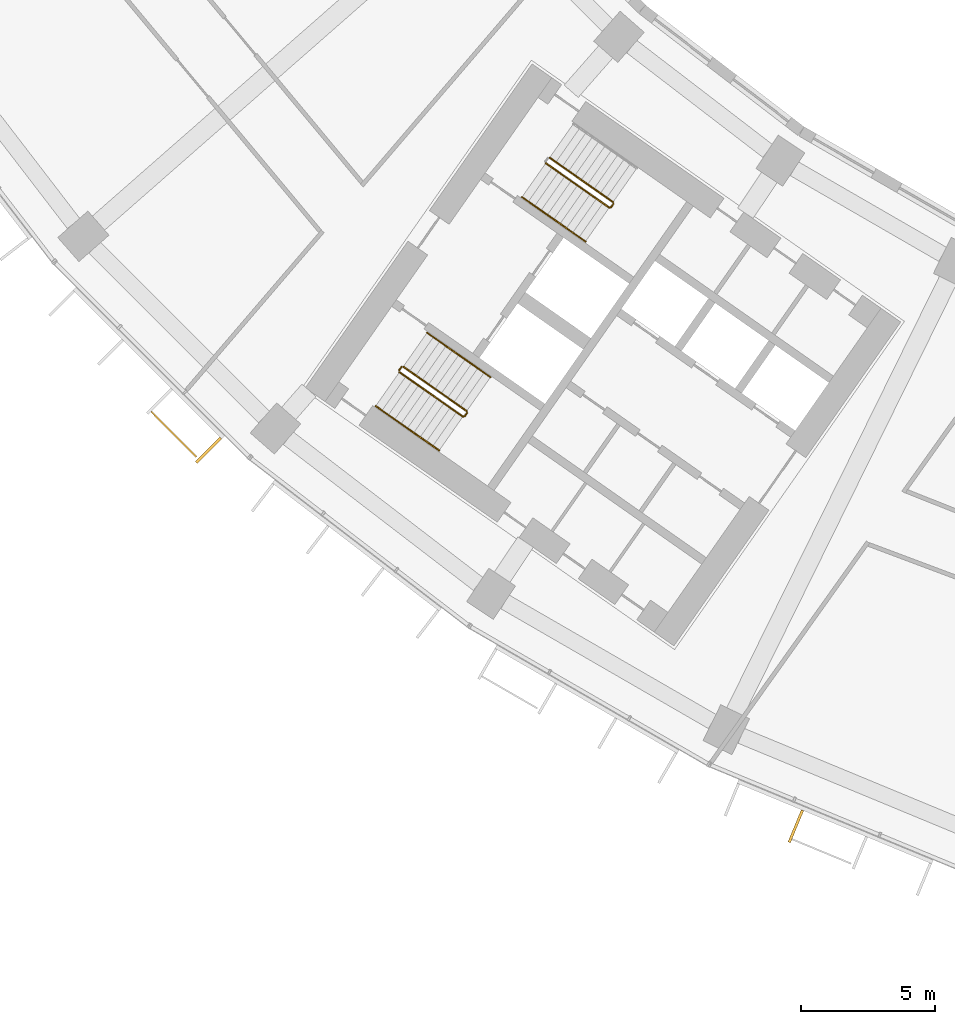
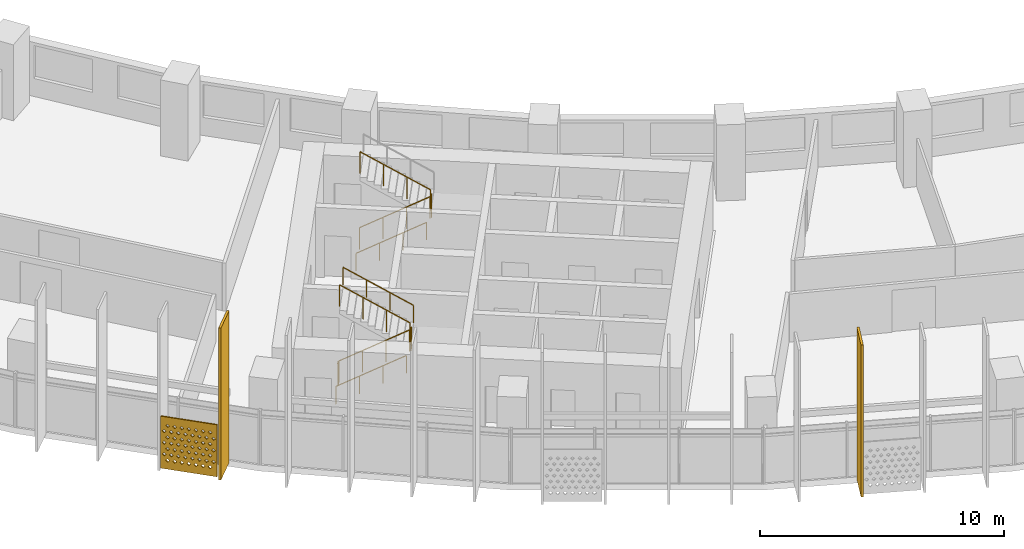
# One storey, part 24 of 30: 8 railings, 3 shading devices.
"""IFC4 building model written with IfcOpenShell, lengths in metres."""

from ifc_helpers import new_model, si_unit, direction, frame, origin, origin_2d, place, context, subcontext, project, spatial, polyline, rectangle, circle, outline, extrude, material, material_profile, profile_set, type_object, element, save


model = new_model("IFC4")

# Units and contexts
model_context = context("Model", 3, precision=1e-05, world=origin(), true_north=direction((0.0, 1.0)))
body_context = subcontext(model_context, "Body", "Model", "MODEL_VIEW")
ifc_project = project(units=[si_unit("LENGTHUNIT", "METRE"), si_unit("AREAUNIT", "SQUARE_METRE"), si_unit("VOLUMEUNIT", "CUBIC_METRE"), si_unit("PLANEANGLEUNIT", "RADIAN"), si_unit("MASSUNIT", "GRAM", prefix="KILO")], contexts=[model_context])

# Site, building, storey
site_placement = place(None, origin())
site = spatial("IfcSite", under=ifc_project, at=site_placement, CompositionType="ELEMENT")
building_placement = place(site_placement, origin())
building = spatial("IfcBuilding", under=site, at=building_placement, Name="Qamariyya Broadcast Tower", CompositionType="ELEMENT")
storey_placement = place(building_placement, frame((0.0, 0.0, 110.10009765625)))
storey = spatial("IfcBuildingStorey", under=building, at=storey_placement, Name="L24", CompositionType="ELEMENT", Elevation=110.10009765625)

# Shading device
ifc_material_1 = material(Name="Perforated glazed terracotta", Category="masonry")
ifc_material_profile_1 = material_profile(ifc_material_1, outline(polyline([(-1.199951171875, -1.300048828125), (1.199951171875, -1.300048828125), (1.199951171875, 1.300048828125), (-1.199951171875, 1.300048828125), (-1.199951171875, -1.300048828125)]), holes=[polyline([(-0.81494140625, -0.86669921875), (-0.89990234375, -0.78173828125), (-0.985107421875, -0.86669921875), (-0.89990234375, -0.95166015625), (-0.81494140625, -0.86669921875)]), polyline([(-0.514892578125, -0.86669921875), (-0.60009765625, -0.78173828125), (-0.68505859375, -0.86669921875), (-0.60009765625, -0.95166015625), (-0.514892578125, -0.86669921875)]), polyline([(-0.215087890625, -0.86669921875), (-0.300048828125, -0.78173828125), (-0.385009765625, -0.86669921875), (-0.300048828125, -0.95166015625), (-0.215087890625, -0.86669921875)]), polyline([(0.0849609375, -0.86669921875), (0.0, -0.78173828125), (-0.0849609375, -0.86669921875), (0.0, -0.95166015625), (0.0849609375, -0.86669921875)]), polyline([(0.385009765625, -0.86669921875), (0.300048828125, -0.78173828125), (0.215087890625, -0.86669921875), (0.300048828125, -0.95166015625), (0.385009765625, -0.86669921875)]), polyline([(0.68505859375, -0.86669921875), (0.60009765625, -0.78173828125), (0.514892578125, -0.86669921875), (0.60009765625, -0.95166015625), (0.68505859375, -0.86669921875)]), polyline([(0.985107421875, -0.86669921875), (0.89990234375, -0.78173828125), (0.81494140625, -0.86669921875), (0.89990234375, -0.95166015625), (0.985107421875, -0.86669921875)]), polyline([(-0.965087890625, -0.577880859375), (-1.050048828125, -0.49267578125), (-1.135009765625, -0.577880859375), (-1.050048828125, -0.662841796875), (-0.965087890625, -0.577880859375)]), polyline([(-0.6650390625, -0.577880859375), (-0.75, -0.49267578125), (-0.8349609375, -0.577880859375), (-0.75, -0.662841796875), (-0.6650390625, -0.577880859375)]), polyline([(-0.364990234375, -0.577880859375), (-0.449951171875, -0.49267578125), (-0.534912109375, -0.577880859375), (-0.449951171875, -0.662841796875), (-0.364990234375, -0.577880859375)]), polyline([(-0.06494140625, -0.577880859375), (-0.14990234375, -0.49267578125), (-0.235107421875, -0.577880859375), (-0.14990234375, -0.662841796875), (-0.06494140625, -0.577880859375)]), polyline([(0.235107421875, -0.577880859375), (0.14990234375, -0.49267578125), (0.06494140625, -0.577880859375), (0.14990234375, -0.662841796875), (0.235107421875, -0.577880859375)]), polyline([(0.534912109375, -0.577880859375), (0.449951171875, -0.49267578125), (0.364990234375, -0.577880859375), (0.449951171875, -0.662841796875), (0.534912109375, -0.577880859375)]), polyline([(0.8349609375, -0.577880859375), (0.75, -0.49267578125), (0.6650390625, -0.577880859375), (0.75, -0.662841796875), (0.8349609375, -0.577880859375)]), polyline([(1.135009765625, -0.577880859375), (1.050048828125, -0.49267578125), (0.965087890625, -0.577880859375), (1.050048828125, -0.662841796875), (1.135009765625, -0.577880859375)]), polyline([(-0.81494140625, -0.288818359375), (-0.89990234375, -0.203857421875), (-0.985107421875, -0.288818359375), (-0.89990234375, -0.373779296875), (-0.81494140625, -0.288818359375)]), polyline([(-0.514892578125, -0.288818359375), (-0.60009765625, -0.203857421875), (-0.68505859375, -0.288818359375), (-0.60009765625, -0.373779296875), (-0.514892578125, -0.288818359375)]), polyline([(-0.215087890625, -0.288818359375), (-0.300048828125, -0.203857421875), (-0.385009765625, -0.288818359375), (-0.300048828125, -0.373779296875), (-0.215087890625, -0.288818359375)]), polyline([(0.0849609375, -0.288818359375), (0.0, -0.203857421875), (-0.0849609375, -0.288818359375), (0.0, -0.373779296875), (0.0849609375, -0.288818359375)]), polyline([(0.385009765625, -0.288818359375), (0.300048828125, -0.203857421875), (0.215087890625, -0.288818359375), (0.300048828125, -0.373779296875), (0.385009765625, -0.288818359375)]), polyline([(0.68505859375, -0.288818359375), (0.60009765625, -0.203857421875), (0.514892578125, -0.288818359375), (0.60009765625, -0.373779296875), (0.68505859375, -0.288818359375)]), polyline([(0.985107421875, -0.288818359375), (0.89990234375, -0.203857421875), (0.81494140625, -0.288818359375), (0.89990234375, -0.373779296875), (0.985107421875, -0.288818359375)]), polyline([(-0.965087890625, 0.0), (-1.050048828125, 0.0849609375), (-1.135009765625, 0.0), (-1.050048828125, -0.0849609375), (-0.965087890625, 0.0)]), polyline([(-0.6650390625, 0.0), (-0.75, 0.0849609375), (-0.8349609375, 0.0), (-0.75, -0.0849609375), (-0.6650390625, 0.0)]), polyline([(-0.364990234375, 0.0), (-0.449951171875, 0.0849609375), (-0.534912109375, 0.0), (-0.449951171875, -0.0849609375), (-0.364990234375, 0.0)]), polyline([(-0.06494140625, 0.0), (-0.14990234375, 0.0849609375), (-0.235107421875, 0.0), (-0.14990234375, -0.0849609375), (-0.06494140625, 0.0)]), polyline([(0.235107421875, 0.0), (0.14990234375, 0.0849609375), (0.06494140625, 0.0), (0.14990234375, -0.0849609375), (0.235107421875, 0.0)]), polyline([(0.534912109375, 0.0), (0.449951171875, 0.0849609375), (0.364990234375, 0.0), (0.449951171875, -0.0849609375), (0.534912109375, 0.0)]), polyline([(0.8349609375, 0.0), (0.75, 0.0849609375), (0.6650390625, 0.0), (0.75, -0.0849609375), (0.8349609375, 0.0)]), polyline([(1.135009765625, 0.0), (1.050048828125, 0.0849609375), (0.965087890625, 0.0), (1.050048828125, -0.0849609375), (1.135009765625, 0.0)]), polyline([(-0.81494140625, 0.288818359375), (-0.89990234375, 0.373779296875), (-0.985107421875, 0.288818359375), (-0.89990234375, 0.203857421875), (-0.81494140625, 0.288818359375)]), polyline([(-0.514892578125, 0.288818359375), (-0.60009765625, 0.373779296875), (-0.68505859375, 0.288818359375), (-0.60009765625, 0.203857421875), (-0.514892578125, 0.288818359375)]), polyline([(-0.215087890625, 0.288818359375), (-0.300048828125, 0.373779296875), (-0.385009765625, 0.288818359375), (-0.300048828125, 0.203857421875), (-0.215087890625, 0.288818359375)]), polyline([(0.0849609375, 0.288818359375), (0.0, 0.373779296875), (-0.0849609375, 0.288818359375), (0.0, 0.203857421875), (0.0849609375, 0.288818359375)]), polyline([(0.385009765625, 0.288818359375), (0.300048828125, 0.373779296875), (0.215087890625, 0.288818359375), (0.300048828125, 0.203857421875), (0.385009765625, 0.288818359375)]), polyline([(0.68505859375, 0.288818359375), (0.60009765625, 0.373779296875), (0.514892578125, 0.288818359375), (0.60009765625, 0.203857421875), (0.68505859375, 0.288818359375)]), polyline([(0.985107421875, 0.288818359375), (0.89990234375, 0.373779296875), (0.81494140625, 0.288818359375), (0.89990234375, 0.203857421875), (0.985107421875, 0.288818359375)]), polyline([(-0.965087890625, 0.577880859375), (-1.050048828125, 0.662841796875), (-1.135009765625, 0.577880859375), (-1.050048828125, 0.49267578125), (-0.965087890625, 0.577880859375)]), polyline([(-0.6650390625, 0.577880859375), (-0.75, 0.662841796875), (-0.8349609375, 0.577880859375), (-0.75, 0.49267578125), (-0.6650390625, 0.577880859375)]), polyline([(-0.364990234375, 0.577880859375), (-0.449951171875, 0.662841796875), (-0.534912109375, 0.577880859375), (-0.449951171875, 0.49267578125), (-0.364990234375, 0.577880859375)]), polyline([(-0.06494140625, 0.577880859375), (-0.14990234375, 0.662841796875), (-0.235107421875, 0.577880859375), (-0.14990234375, 0.49267578125), (-0.06494140625, 0.577880859375)]), polyline([(0.235107421875, 0.577880859375), (0.14990234375, 0.662841796875), (0.06494140625, 0.577880859375), (0.14990234375, 0.49267578125), (0.235107421875, 0.577880859375)]), polyline([(0.534912109375, 0.577880859375), (0.449951171875, 0.662841796875), (0.364990234375, 0.577880859375), (0.449951171875, 0.49267578125), (0.534912109375, 0.577880859375)]), polyline([(0.8349609375, 0.577880859375), (0.75, 0.662841796875), (0.6650390625, 0.577880859375), (0.75, 0.49267578125), (0.8349609375, 0.577880859375)]), polyline([(1.135009765625, 0.577880859375), (1.050048828125, 0.662841796875), (0.965087890625, 0.577880859375), (1.050048828125, 0.49267578125), (1.135009765625, 0.577880859375)]), polyline([(-0.81494140625, 0.86669921875), (-0.89990234375, 0.95166015625), (-0.985107421875, 0.86669921875), (-0.89990234375, 0.78173828125), (-0.81494140625, 0.86669921875)]), polyline([(-0.514892578125, 0.86669921875), (-0.60009765625, 0.95166015625), (-0.68505859375, 0.86669921875), (-0.60009765625, 0.78173828125), (-0.514892578125, 0.86669921875)]), polyline([(-0.215087890625, 0.86669921875), (-0.300048828125, 0.95166015625), (-0.385009765625, 0.86669921875), (-0.300048828125, 0.78173828125), (-0.215087890625, 0.86669921875)]), polyline([(0.0849609375, 0.86669921875), (0.0, 0.95166015625), (-0.0849609375, 0.86669921875), (0.0, 0.78173828125), (0.0849609375, 0.86669921875)]), polyline([(0.385009765625, 0.86669921875), (0.300048828125, 0.95166015625), (0.215087890625, 0.86669921875), (0.300048828125, 0.78173828125), (0.385009765625, 0.86669921875)]), polyline([(0.68505859375, 0.86669921875), (0.60009765625, 0.95166015625), (0.514892578125, 0.86669921875), (0.60009765625, 0.78173828125), (0.68505859375, 0.86669921875)]), polyline([(0.985107421875, 0.86669921875), (0.89990234375, 0.95166015625), (0.81494140625, 0.86669921875), (0.89990234375, 0.78173828125), (0.985107421875, 0.86669921875)])]))
ifc_profile_set_1 = profile_set([ifc_material_profile_1], Name="Perforated glazed terracotta")
shading_device_type_1 = type_object("IfcShadingDeviceType", Name="Perforated terracotta screen 2400 x 2600", PredefinedType="USERDEFINED", material=ifc_profile_set_1)
shading_device_placement = place(storey_placement, frame((-55.05078125, -58.65234375, 1.349853515625), z_axis=(-0.709141608176, -0.705066081692, 0.0), x_axis=(0.705066081692, -0.709141608176, 0.0)))
element("IfcShadingDevice", 1, at=shading_device_placement, inside=storey, type_object=shading_device_type_1, Name="e-scr-L24-03-2", ObjectType="SCREEN", PredefinedType="USERDEFINED", context=body_context, shape_type="SweptSolid", body=[
    extrude(outline(polyline([(-1.199951171875, -1.300048828125), (1.199951171875, -1.300048828125), (1.199951171875, 1.300048828125), (-1.199951171875, 1.300048828125), (-1.199951171875, -1.300048828125)]), holes=[polyline([(-0.81494140625, -0.86669921875), (-0.89990234375, -0.78173828125), (-0.985107421875, -0.86669921875), (-0.89990234375, -0.95166015625), (-0.81494140625, -0.86669921875)]), polyline([(-0.514892578125, -0.86669921875), (-0.60009765625, -0.78173828125), (-0.68505859375, -0.86669921875), (-0.60009765625, -0.95166015625), (-0.514892578125, -0.86669921875)]), polyline([(-0.215087890625, -0.86669921875), (-0.300048828125, -0.78173828125), (-0.385009765625, -0.86669921875), (-0.300048828125, -0.95166015625), (-0.215087890625, -0.86669921875)]), polyline([(0.0849609375, -0.86669921875), (0.0, -0.78173828125), (-0.0849609375, -0.86669921875), (0.0, -0.95166015625), (0.0849609375, -0.86669921875)]), polyline([(0.385009765625, -0.86669921875), (0.300048828125, -0.78173828125), (0.215087890625, -0.86669921875), (0.300048828125, -0.95166015625), (0.385009765625, -0.86669921875)]), polyline([(0.68505859375, -0.86669921875), (0.60009765625, -0.78173828125), (0.514892578125, -0.86669921875), (0.60009765625, -0.95166015625), (0.68505859375, -0.86669921875)]), polyline([(0.985107421875, -0.86669921875), (0.89990234375, -0.78173828125), (0.81494140625, -0.86669921875), (0.89990234375, -0.95166015625), (0.985107421875, -0.86669921875)]), polyline([(-0.965087890625, -0.577880859375), (-1.050048828125, -0.49267578125), (-1.135009765625, -0.577880859375), (-1.050048828125, -0.662841796875), (-0.965087890625, -0.577880859375)]), polyline([(-0.6650390625, -0.577880859375), (-0.75, -0.49267578125), (-0.8349609375, -0.577880859375), (-0.75, -0.662841796875), (-0.6650390625, -0.577880859375)]), polyline([(-0.364990234375, -0.577880859375), (-0.449951171875, -0.49267578125), (-0.534912109375, -0.577880859375), (-0.449951171875, -0.662841796875), (-0.364990234375, -0.577880859375)]), polyline([(-0.06494140625, -0.577880859375), (-0.14990234375, -0.49267578125), (-0.235107421875, -0.577880859375), (-0.14990234375, -0.662841796875), (-0.06494140625, -0.577880859375)]), polyline([(0.235107421875, -0.577880859375), (0.14990234375, -0.49267578125), (0.06494140625, -0.577880859375), (0.14990234375, -0.662841796875), (0.235107421875, -0.577880859375)]), polyline([(0.534912109375, -0.577880859375), (0.449951171875, -0.49267578125), (0.364990234375, -0.577880859375), (0.449951171875, -0.662841796875), (0.534912109375, -0.577880859375)]), polyline([(0.8349609375, -0.577880859375), (0.75, -0.49267578125), (0.6650390625, -0.577880859375), (0.75, -0.662841796875), (0.8349609375, -0.577880859375)]), polyline([(1.135009765625, -0.577880859375), (1.050048828125, -0.49267578125), (0.965087890625, -0.577880859375), (1.050048828125, -0.662841796875), (1.135009765625, -0.577880859375)]), polyline([(-0.81494140625, -0.288818359375), (-0.89990234375, -0.203857421875), (-0.985107421875, -0.288818359375), (-0.89990234375, -0.373779296875), (-0.81494140625, -0.288818359375)]), polyline([(-0.514892578125, -0.288818359375), (-0.60009765625, -0.203857421875), (-0.68505859375, -0.288818359375), (-0.60009765625, -0.373779296875), (-0.514892578125, -0.288818359375)]), polyline([(-0.215087890625, -0.288818359375), (-0.300048828125, -0.203857421875), (-0.385009765625, -0.288818359375), (-0.300048828125, -0.373779296875), (-0.215087890625, -0.288818359375)]), polyline([(0.0849609375, -0.288818359375), (0.0, -0.203857421875), (-0.0849609375, -0.288818359375), (0.0, -0.373779296875), (0.0849609375, -0.288818359375)]), polyline([(0.385009765625, -0.288818359375), (0.300048828125, -0.203857421875), (0.215087890625, -0.288818359375), (0.300048828125, -0.373779296875), (0.385009765625, -0.288818359375)]), polyline([(0.68505859375, -0.288818359375), (0.60009765625, -0.203857421875), (0.514892578125, -0.288818359375), (0.60009765625, -0.373779296875), (0.68505859375, -0.288818359375)]), polyline([(0.985107421875, -0.288818359375), (0.89990234375, -0.203857421875), (0.81494140625, -0.288818359375), (0.89990234375, -0.373779296875), (0.985107421875, -0.288818359375)]), polyline([(-0.965087890625, 0.0), (-1.050048828125, 0.0849609375), (-1.135009765625, 0.0), (-1.050048828125, -0.0849609375), (-0.965087890625, 0.0)]), polyline([(-0.6650390625, 0.0), (-0.75, 0.0849609375), (-0.8349609375, 0.0), (-0.75, -0.0849609375), (-0.6650390625, 0.0)]), polyline([(-0.364990234375, 0.0), (-0.449951171875, 0.0849609375), (-0.534912109375, 0.0), (-0.449951171875, -0.0849609375), (-0.364990234375, 0.0)]), polyline([(-0.06494140625, 0.0), (-0.14990234375, 0.0849609375), (-0.235107421875, 0.0), (-0.14990234375, -0.0849609375), (-0.06494140625, 0.0)]), polyline([(0.235107421875, 0.0), (0.14990234375, 0.0849609375), (0.06494140625, 0.0), (0.14990234375, -0.0849609375), (0.235107421875, 0.0)]), polyline([(0.534912109375, 0.0), (0.449951171875, 0.0849609375), (0.364990234375, 0.0), (0.449951171875, -0.0849609375), (0.534912109375, 0.0)]), polyline([(0.8349609375, 0.0), (0.75, 0.0849609375), (0.6650390625, 0.0), (0.75, -0.0849609375), (0.8349609375, 0.0)]), polyline([(1.135009765625, 0.0), (1.050048828125, 0.0849609375), (0.965087890625, 0.0), (1.050048828125, -0.0849609375), (1.135009765625, 0.0)]), polyline([(-0.81494140625, 0.288818359375), (-0.89990234375, 0.373779296875), (-0.985107421875, 0.288818359375), (-0.89990234375, 0.203857421875), (-0.81494140625, 0.288818359375)]), polyline([(-0.514892578125, 0.288818359375), (-0.60009765625, 0.373779296875), (-0.68505859375, 0.288818359375), (-0.60009765625, 0.203857421875), (-0.514892578125, 0.288818359375)]), polyline([(-0.215087890625, 0.288818359375), (-0.300048828125, 0.373779296875), (-0.385009765625, 0.288818359375), (-0.300048828125, 0.203857421875), (-0.215087890625, 0.288818359375)]), polyline([(0.0849609375, 0.288818359375), (0.0, 0.373779296875), (-0.0849609375, 0.288818359375), (0.0, 0.203857421875), (0.0849609375, 0.288818359375)]), polyline([(0.385009765625, 0.288818359375), (0.300048828125, 0.373779296875), (0.215087890625, 0.288818359375), (0.300048828125, 0.203857421875), (0.385009765625, 0.288818359375)]), polyline([(0.68505859375, 0.288818359375), (0.60009765625, 0.373779296875), (0.514892578125, 0.288818359375), (0.60009765625, 0.203857421875), (0.68505859375, 0.288818359375)]), polyline([(0.985107421875, 0.288818359375), (0.89990234375, 0.373779296875), (0.81494140625, 0.288818359375), (0.89990234375, 0.203857421875), (0.985107421875, 0.288818359375)]), polyline([(-0.965087890625, 0.577880859375), (-1.050048828125, 0.662841796875), (-1.135009765625, 0.577880859375), (-1.050048828125, 0.49267578125), (-0.965087890625, 0.577880859375)]), polyline([(-0.6650390625, 0.577880859375), (-0.75, 0.662841796875), (-0.8349609375, 0.577880859375), (-0.75, 0.49267578125), (-0.6650390625, 0.577880859375)]), polyline([(-0.364990234375, 0.577880859375), (-0.449951171875, 0.662841796875), (-0.534912109375, 0.577880859375), (-0.449951171875, 0.49267578125), (-0.364990234375, 0.577880859375)]), polyline([(-0.06494140625, 0.577880859375), (-0.14990234375, 0.662841796875), (-0.235107421875, 0.577880859375), (-0.14990234375, 0.49267578125), (-0.06494140625, 0.577880859375)]), polyline([(0.235107421875, 0.577880859375), (0.14990234375, 0.662841796875), (0.06494140625, 0.577880859375), (0.14990234375, 0.49267578125), (0.235107421875, 0.577880859375)]), polyline([(0.534912109375, 0.577880859375), (0.449951171875, 0.662841796875), (0.364990234375, 0.577880859375), (0.449951171875, 0.49267578125), (0.534912109375, 0.577880859375)]), polyline([(0.8349609375, 0.577880859375), (0.75, 0.662841796875), (0.6650390625, 0.577880859375), (0.75, 0.49267578125), (0.8349609375, 0.577880859375)]), polyline([(1.135009765625, 0.577880859375), (1.050048828125, 0.662841796875), (0.965087890625, 0.577880859375), (1.050048828125, 0.49267578125), (1.135009765625, 0.577880859375)]), polyline([(-0.81494140625, 0.86669921875), (-0.89990234375, 0.95166015625), (-0.985107421875, 0.86669921875), (-0.89990234375, 0.78173828125), (-0.81494140625, 0.86669921875)]), polyline([(-0.514892578125, 0.86669921875), (-0.60009765625, 0.95166015625), (-0.68505859375, 0.86669921875), (-0.60009765625, 0.78173828125), (-0.514892578125, 0.86669921875)]), polyline([(-0.215087890625, 0.86669921875), (-0.300048828125, 0.95166015625), (-0.385009765625, 0.86669921875), (-0.300048828125, 0.78173828125), (-0.215087890625, 0.86669921875)]), polyline([(0.0849609375, 0.86669921875), (0.0, 0.95166015625), (-0.0849609375, 0.86669921875), (0.0, 0.78173828125), (0.0849609375, 0.86669921875)]), polyline([(0.385009765625, 0.86669921875), (0.300048828125, 0.95166015625), (0.215087890625, 0.86669921875), (0.300048828125, 0.78173828125), (0.385009765625, 0.86669921875)]), polyline([(0.68505859375, 0.86669921875), (0.60009765625, 0.95166015625), (0.514892578125, 0.86669921875), (0.60009765625, 0.78173828125), (0.68505859375, 0.86669921875)]), polyline([(0.985107421875, 0.86669921875), (0.89990234375, 0.95166015625), (0.81494140625, 0.86669921875), (0.89990234375, 0.78173828125), (0.985107421875, 0.86669921875)])]), origin(), (0.0, 0.0, 1.0), 0.059814453125),
])

# Railings
ifc_material_2 = material(Name="Painted steel", Category="steel")
railing_type_1 = type_object("IfcRailingType", Name="Stair guard", PredefinedType="GUARDRAIL", material=ifc_material_2)
railing_1_placement = place(storey_placement, frame((-41.146728515625, -48.52490234375, 0.172607421875)))
element("IfcRailing", 2, at=railing_1_placement, inside=storey, type_object=railing_type_1, Name="L24 ST-W2 stair guard 1", PredefinedType="GUARDRAIL", context=body_context, shape_type="SweptSolid", body=[
    extrude(circle(Radius=0.02392578125, at=origin_2d()), frame((0.0, 0.0, 1.076171875), z_axis=(0.703770094002, -0.492783725636, 0.511734163933), x_axis=(0.573575343427, 0.819152809562, 0.0)), (0.0, 0.0, 1.0), 3.37548828125),
    extrude(circle(Radius=0.02392578125, at=origin_2d()), frame((2.37548828125, -1.663330078125, 2.80322265625), z_axis=(0.985059694769, 0.172213233351, 0.0), x_axis=(-0.172213233351, 0.985059694769, 0.0)), (0.0, 0.0, 1.0), 0.07080078125),
    extrude(circle(Radius=0.02392578125, at=origin_2d()), frame((2.4453125, -1.651123046875, 2.80322265625), z_axis=(0.572588637393, 0.819842821722, 0.0), x_axis=(-0.819842821722, 0.572588637393, 0.0)), (0.0, 0.0, 1.0), 0.150146484375),
    extrude(circle(Radius=0.02099609375, at=origin_2d()), origin(), (0.0, 0.0, 1.0), 1.052001953125),
    extrude(circle(Radius=0.02099609375, at=origin_2d()), frame((0.791748046875, -0.554443359375, 0.57568359375)), (0.0, 0.0, 1.0), 1.052001953125),
    extrude(circle(Radius=0.02099609375, at=origin_2d()), frame((1.583740234375, -1.10888671875, 1.151611328125)), (0.0, 0.0, 1.0), 1.052001953125),
    extrude(circle(Radius=0.02099609375, at=origin_2d()), frame((2.37548828125, -1.663330078125, 1.727294921875)), (0.0, 0.0, 1.0), 1.052001953125),
    extrude(circle(Radius=0.02099609375, at=origin_2d()), frame((2.4453125, -1.651123046875, 1.727294921875)), (0.0, 0.0, 1.0), 1.052001953125),
    extrude(circle(Radius=0.02099609375, at=origin_2d()), frame((2.53125, -1.528076171875, 1.727294921875)), (0.0, 0.0, 1.0), 1.052001953125),
])
railing_2_placement = place(storey_placement, frame((-38.627685546875, -49.9833984375, 2.072509765625)))
element("IfcRailing", 3, at=railing_2_placement, inside=storey, type_object=railing_type_1, Name="L24 ST-W2 stair guard 2", PredefinedType="GUARDRAIL", context=body_context, shape_type="SweptSolid", body=[
    extrude(circle(Radius=0.02392578125, at=origin_2d()), frame((0.0, 0.0, 1.076171875), z_axis=(-0.703770094002, 0.492783725636, 0.511734163933), x_axis=(-0.573575343427, -0.819152809562, 0.0)), (0.0, 0.0, 1.0), 3.37548828125),
    extrude(circle(Radius=0.02099609375, at=origin_2d()), origin(), (0.0, 0.0, 1.0), 1.052001953125),
    extrude(circle(Radius=0.02099609375, at=origin_2d()), frame((-0.791748046875, 0.554443359375, 0.57568359375)), (0.0, 0.0, 1.0), 1.052001953125),
    extrude(circle(Radius=0.02099609375, at=origin_2d()), frame((-1.583740234375, 1.10888671875, 1.151611328125)), (0.0, 0.0, 1.0), 1.052001953125),
    extrude(circle(Radius=0.02099609375, at=origin_2d()), frame((-2.37548828125, 1.663330078125, 1.727294921875)), (0.0, 0.0, 1.0), 1.052001953125),
])
railing_3_placement = place(storey_placement, frame((-46.624267578125, -56.34765625, 0.172607421875)))
element("IfcRailing", 4, at=railing_3_placement, inside=storey, type_object=railing_type_1, Name="L24 ST-W1 stair guard 1", PredefinedType="GUARDRAIL", context=body_context, shape_type="SweptSolid", body=[
    extrude(circle(Radius=0.02392578125, at=origin_2d()), frame((0.0, 0.0, 1.076171875), z_axis=(0.703745009021, -0.492838488332, 0.511715923826), x_axis=(0.573631830683, 0.819113253969, 0.0)), (0.0, 0.0, 1.0), 3.37548828125),
    extrude(circle(Radius=0.02392578125, at=origin_2d()), frame((2.37548828125, -1.66357421875, 2.80322265625), z_axis=(0.984363469884, 0.176149252506, 0.0), x_axis=(-0.176149252506, 0.984363469884, 0.0)), (0.0, 0.0, 1.0), 0.07080078125),
    extrude(circle(Radius=0.02392578125, at=origin_2d()), frame((2.445068359375, -1.651123046875, 2.80322265625), z_axis=(0.574444878118, 0.818543268254, 0.0), x_axis=(-0.818543268254, 0.574444878118, 0.0)), (0.0, 0.0, 1.0), 0.150146484375),
    extrude(circle(Radius=0.02099609375, at=origin_2d()), origin(), (0.0, 0.0, 1.0), 1.052001953125),
    extrude(circle(Radius=0.02099609375, at=origin_2d()), frame((0.791748046875, -0.554443359375, 0.57568359375)), (0.0, 0.0, 1.0), 1.052001953125),
    extrude(circle(Radius=0.02099609375, at=origin_2d()), frame((1.583740234375, -1.109130859375, 1.151611328125)), (0.0, 0.0, 1.0), 1.052001953125),
    extrude(circle(Radius=0.02099609375, at=origin_2d()), frame((2.37548828125, -1.66357421875, 1.727294921875)), (0.0, 0.0, 1.0), 1.052001953125),
    extrude(circle(Radius=0.02099609375, at=origin_2d()), frame((2.445068359375, -1.651123046875, 1.727294921875)), (0.0, 0.0, 1.0), 1.052001953125),
    extrude(circle(Radius=0.02099609375, at=origin_2d()), frame((2.53125, -1.5283203125, 1.727294921875)), (0.0, 0.0, 1.0), 1.052001953125),
])
railing_4_placement = place(storey_placement, frame((-44.10546875, -57.806396484375, 2.072509765625)))
element("IfcRailing", 5, at=railing_4_placement, inside=storey, type_object=railing_type_1, Name="L24 ST-W1 stair guard 2", PredefinedType="GUARDRAIL", context=body_context, shape_type="SweptSolid", body=[
    extrude(circle(Radius=0.02392578125, at=origin_2d()), frame((0.0, 0.0, 1.076171875), z_axis=(-0.703770094002, 0.492783725636, 0.511734163933), x_axis=(-0.573575343427, -0.819152809562, 0.0)), (0.0, 0.0, 1.0), 3.37548828125),
    extrude(circle(Radius=0.02099609375, at=origin_2d()), origin(), (0.0, 0.0, 1.0), 1.052001953125),
    extrude(circle(Radius=0.02099609375, at=origin_2d()), frame((-0.791748046875, 0.554443359375, 0.57568359375)), (0.0, 0.0, 1.0), 1.052001953125),
    extrude(circle(Radius=0.02099609375, at=origin_2d()), frame((-1.583740234375, 1.10888671875, 1.151611328125)), (0.0, 0.0, 1.0), 1.052001953125),
    extrude(circle(Radius=0.02099609375, at=origin_2d()), frame((-2.37548828125, 1.663330078125, 1.727294921875)), (0.0, 0.0, 1.0), 1.052001953125),
])
railing_5_placement = place(storey_placement, frame((-46.63671875, -56.278076171875, 0.0)))
element("IfcRailing", 6, at=railing_5_placement, inside=storey, type_object=railing_type_1, Name="L24 ST-W1 stair guard 3", PredefinedType="GUARDRAIL", context=body_context, shape_type="SweptSolid", body=[
    extrude(circle(Radius=0.02392578125, at=origin_2d()), frame((0.0, 0.0, 1.076171875), z_axis=(0.574444878118, 0.818543268254, 0.0), x_axis=(-0.818543268254, 0.574444878118, 0.0)), (0.0, 0.0, 1.0), 0.150146484375),
    extrude(circle(Radius=0.02099609375, at=origin_2d()), origin(), (0.0, 0.0, 1.0), 1.052001953125),
    extrude(circle(Radius=0.02099609375, at=origin_2d()), frame((0.086181640625, 0.122802734375, 0.0)), (0.0, 0.0, 1.0), 1.052001953125),
])
ifc_material_3 = material(Name="Stainless steel", Category="steel")
railing_type_2 = type_object("IfcRailingType", Name="Stair handrail", PredefinedType="HANDRAIL", material=ifc_material_3)
railing_6_placement = place(storey_placement, frame((-42.03564453125, -49.79443359375, 0.172607421875)))
element("IfcRailing", 7, at=railing_6_placement, inside=storey, type_object=railing_type_2, Name="L24 ST-W2 stair handrail 1", PredefinedType="HANDRAIL", context=body_context, shape_type="SweptSolid", body=[
    extrude(circle(Radius=0.02392578125, at=origin_2d()), frame((0.0, 0.0, 0.8759765625), z_axis=(0.703745009021, -0.492838488332, 0.511715923826), x_axis=(0.573631830683, 0.819113253969, 0.0)), (0.0, 0.0, 1.0), 3.37548828125),
    extrude(circle(Radius=0.02099609375, at=origin_2d()), origin(), (0.0, 0.0, 1.0), 0.851806640625),
    extrude(circle(Radius=0.02099609375, at=origin_2d()), frame((0.791748046875, -0.554443359375, 0.57568359375)), (0.0, 0.0, 1.0), 0.851806640625),
    extrude(circle(Radius=0.02099609375, at=origin_2d()), frame((1.583740234375, -1.109130859375, 1.151611328125)), (0.0, 0.0, 1.0), 0.851806640625),
    extrude(circle(Radius=0.02099609375, at=origin_2d()), frame((2.37548828125, -1.66357421875, 1.727294921875)), (0.0, 0.0, 1.0), 0.851806640625),
])
railing_7_placement = place(storey_placement, frame((-47.513427734375, -57.617431640625, 0.172607421875)))
element("IfcRailing", 8, at=railing_7_placement, inside=storey, type_object=railing_type_2, Name="L24 ST-W1 stair handrail 1", PredefinedType="HANDRAIL", context=body_context, shape_type="SweptSolid", body=[
    extrude(circle(Radius=0.02392578125, at=origin_2d()), frame((0.0, 0.0, 0.8759765625), z_axis=(0.703770094002, -0.492783725636, 0.511734163933), x_axis=(0.573575343427, 0.819152809562, 0.0)), (0.0, 0.0, 1.0), 3.37548828125),
    extrude(circle(Radius=0.02099609375, at=origin_2d()), origin(), (0.0, 0.0, 1.0), 0.851806640625),
    extrude(circle(Radius=0.02099609375, at=origin_2d()), frame((0.791748046875, -0.554443359375, 0.57568359375)), (0.0, 0.0, 1.0), 0.851806640625),
    extrude(circle(Radius=0.02099609375, at=origin_2d()), frame((1.583740234375, -1.10888671875, 1.151611328125)), (0.0, 0.0, 1.0), 0.851806640625),
    extrude(circle(Radius=0.02099609375, at=origin_2d()), frame((2.37548828125, -1.663330078125, 1.727294921875)), (0.0, 0.0, 1.0), 0.851806640625),
])
railing_8_placement = place(storey_placement, frame((-43.21630859375, -56.53662109375, 2.072509765625)))
element("IfcRailing", 9, at=railing_8_placement, inside=storey, type_object=railing_type_2, Name="L24 ST-W1 stair handrail 2", PredefinedType="HANDRAIL", context=body_context, shape_type="SweptSolid", body=[
    extrude(circle(Radius=0.02392578125, at=origin_2d()), frame((0.0, 0.0, 0.8759765625), z_axis=(-0.703770094002, 0.492783725636, 0.511734163933), x_axis=(-0.573575343427, -0.819152809562, 0.0)), (0.0, 0.0, 1.0), 3.37548828125),
    extrude(circle(Radius=0.02099609375, at=origin_2d()), origin(), (0.0, 0.0, 1.0), 0.851806640625),
    extrude(circle(Radius=0.02099609375, at=origin_2d()), frame((-0.791748046875, 0.554443359375, 0.57568359375)), (0.0, 0.0, 1.0), 0.851806640625),
    extrude(circle(Radius=0.02099609375, at=origin_2d()), frame((-1.583740234375, 1.10888671875, 1.151611328125)), (0.0, 0.0, 1.0), 0.851806640625),
    extrude(circle(Radius=0.02099609375, at=origin_2d()), frame((-2.37548828125, 1.663330078125, 1.727294921875)), (0.0, 0.0, 1.0), 0.851806640625),
])

# Shading devices
ifc_material_4 = material(Name="Glazed terracotta", Category="masonry")
ifc_material_profile_2 = material_profile(ifc_material_4, rectangle(XDim=1.300048828125, YDim=0.10009765625, at=origin_2d()))
ifc_profile_set_2 = profile_set([ifc_material_profile_2], Name="Glazed terracotta")
shading_device_type_2 = type_object("IfcShadingDeviceType", Name="Terracotta fin 100 x 1300", PredefinedType="USERDEFINED", material=ifc_profile_set_2)
for number, where, z_axis, x_axis, name in (
    (10, (-53.7685546875, -59.269775390625, 0.0), (0.0, 0.0, 1.0), (-0.707106781187, -0.707106781187, 0.0), "e-fin-L24-03-3"),
    (11, (-31.785888671875, -73.349609375, 0.0), (0.0, 0.0, 1.0), (-0.382683432365, -0.923879532511, 0.0), "e-fin-L24-06-1"),
):
    element("IfcShadingDevice", number, at=place(storey_placement, frame(where, z_axis=z_axis, x_axis=x_axis)), inside=storey, type_object=shading_device_type_2, Name=name, ObjectType="FIN", PredefinedType="USERDEFINED", context=body_context, shape_type="SweptSolid", body=[
        extrude(rectangle(XDim=1.300048828125, YDim=0.10009765625, at=origin_2d()), origin(), (0.0, 0.0, 1.0), 7.599853515625),
    ])

save(model, "model.ifc")
